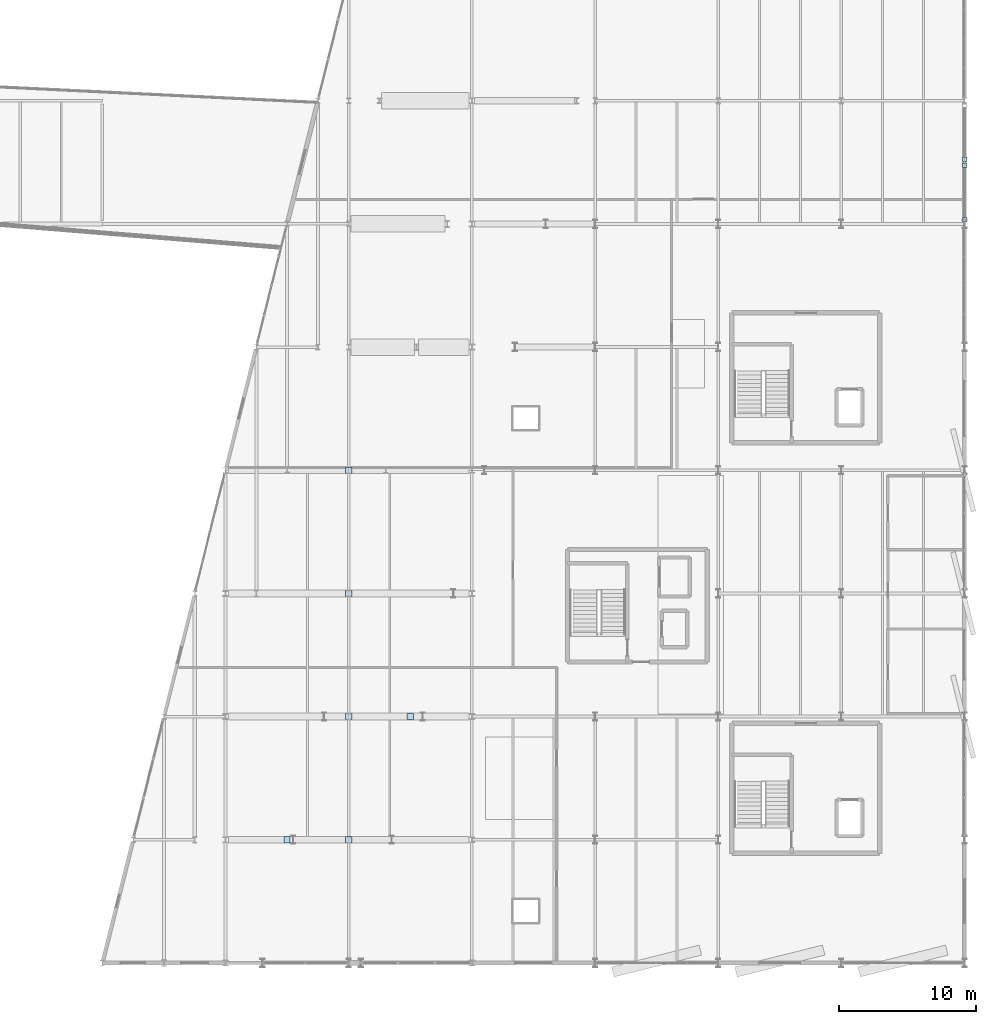
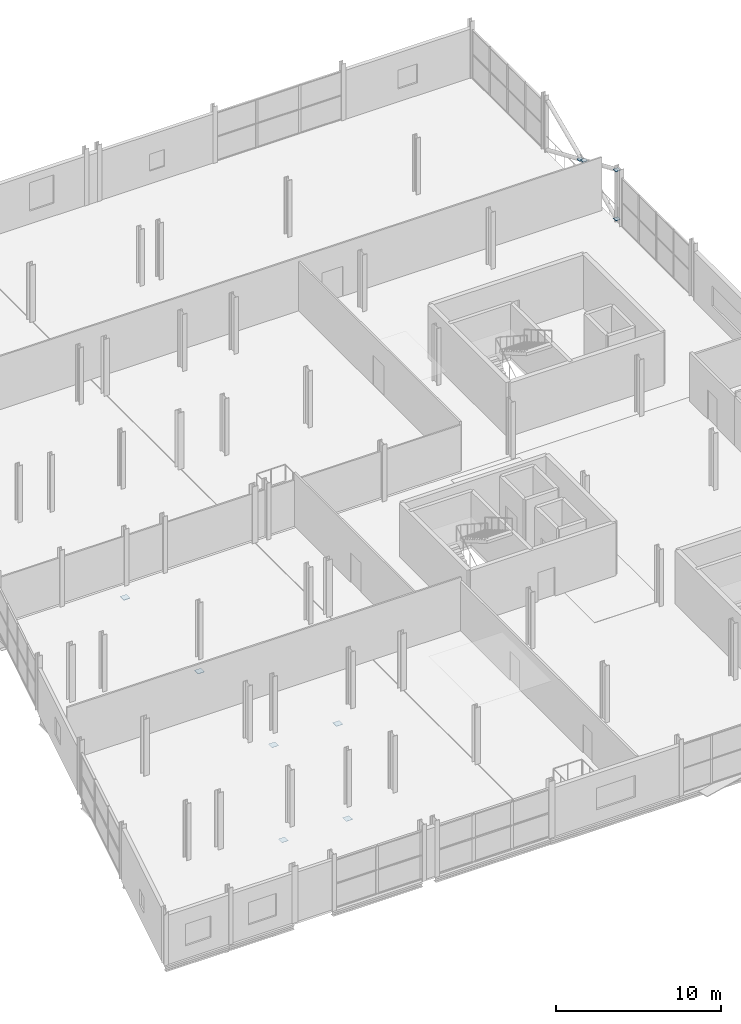
# One storey, part 110 of 135: 10 plates.
"""IFC4 building model written with IfcOpenShell, lengths in metres."""

import ifcopenshell
import ifcopenshell.guid

model = None  # the IFC model being written
_history = None  # IfcOwnerHistory: only IFC2X3 demands one
_inside = {}  # id of a spatial element -> (the spatial element, [elements in it])
_under = {}  # id of a project, library or spatial element -> (it, [spatial elements below it])
_declared = {}  # id of a project -> (the project, [libraries it declares])
_typed = {}  # id of a type object -> (the type object, [elements of that type])
_made_of = {}  # id of a material, layer set ... -> (it, [elements and type objects made of it])


def new_model(schema):
    """Start an empty IFC model of exactly this schema.

    Asked for "IFC4X3", IfcOpenShell would pick the latest addendum, in which some entities
    have other attributes; the version numbers below select the first issue.
    IFC2X3 requires an IfcOwnerHistory on every rooted entity: one is made here for all.
    """
    global model, _history
    if schema == "IFC4X3":
        model = ifcopenshell.file(schema_version=(4, 3, 0, 0))
    else:
        model = ifcopenshell.file(schema=schema)
    _inside.clear()
    _under.clear()
    _declared.clear()
    _typed.clear()
    _made_of.clear()
    _history = None
    if model.schema == "IFC2X3":
        org = make("IfcOrganization", Name="unknown")
        user = make(
            "IfcPersonAndOrganization",
            ThePerson=make("IfcPerson", FamilyName="unknown"),
            TheOrganization=org,
        )
        app = make(
            "IfcApplication",
            ApplicationDeveloper=org,
            Version="unknown",
            ApplicationFullName="unknown",
            ApplicationIdentifier="unknown",
        )
        _history = make(
            "IfcOwnerHistory",
            OwningUser=user,
            OwningApplication=app,
            ChangeAction="ADDED",
            CreationDate=0,
        )
    return model


def make(cls, **values):
    """One entity of the class cls with the attributes given. An attribute that is None is left unset."""
    return model.create_entity(
        cls, **{name: value for name, value in values.items() if value is not None}
    )


def rooted(cls, **values):
    """An entity with a GlobalId (a new one), such as an element, a storey or a relation."""
    return make(cls, GlobalId=ifcopenshell.guid.new(), OwnerHistory=_history, **values)


def si_unit(unit_type, name, prefix=None):
    """IfcSIUnit, for example si_unit("LENGTHUNIT", "METRE", prefix="MILLI")."""
    return make("IfcSIUnit", UnitType=unit_type, Prefix=prefix, Name=name)


def assignment(units):
    """IfcUnitAssignment: the units of a project."""
    return None if units is None else make("IfcUnitAssignment", Units=units)


def point(xyz):
    """IfcCartesianPoint."""
    return None if xyz is None else make("IfcCartesianPoint", Coordinates=xyz)


def direction(xyz):
    """IfcDirection."""
    return None if xyz is None else make("IfcDirection", DirectionRatios=xyz)


def frame(location, z_axis=None, x_axis=None):
    """IfcAxis2Placement3D, a coordinate frame: its origin and axes. An axis left out is left unset."""
    return make(
        "IfcAxis2Placement3D",
        Location=point(location),
        Axis=direction(z_axis),
        RefDirection=direction(x_axis),
    )


def frame_2d(location, x_axis=None):
    """IfcAxis2Placement2D, a coordinate frame in the plane: its origin and x axis."""
    return make(
        "IfcAxis2Placement2D", Location=point(location), RefDirection=direction(x_axis)
    )


def origin():
    """The frame at (0, 0, 0) with its axes left unset."""
    return frame((0.0, 0.0, 0.0))


def origin_2d():
    """The frame at (0, 0) in the plane with its x axis left unset."""
    return frame_2d((0.0, 0.0))


def place(relative_to, where):
    """IfcLocalPlacement: puts the frame where relative to a parent placement (None: the world)."""
    return make(
        "IfcLocalPlacement", PlacementRelTo=relative_to, RelativePlacement=where
    )


def context(
    kind, dimensions, precision=None, world=None, true_north=None, identifier=None
):
    """IfcGeometricRepresentationContext, for example the 3D "Model" context."""
    return make(
        "IfcGeometricRepresentationContext",
        ContextIdentifier=identifier,
        ContextType=kind,
        CoordinateSpaceDimension=dimensions,
        Precision=precision,
        WorldCoordinateSystem=world,
        TrueNorth=true_north,
    )


def subcontext(parent, identifier, kind, view, scale=None):
    """IfcGeometricRepresentationSubContext, for example "Body" below "Model"."""
    return make(
        "IfcGeometricRepresentationSubContext",
        ContextIdentifier=identifier,
        ContextType=kind,
        ParentContext=parent,
        TargetScale=scale,
        TargetView=view,
    )


def project(units=None, contexts=None):
    """IfcProject with its units and contexts."""
    return rooted(
        "IfcProject",
        Name="project",
        RepresentationContexts=contexts,
        UnitsInContext=assignment(units),
    )


def spatial(cls, under=None, at=None, **own):
    """A site, building, storey or space (cls), placed at a placement, below another one or the project."""
    s = rooted(cls, ObjectPlacement=at, **own)
    if under is not None:
        _under.setdefault(under.id(), (under, []))[1].append(s)
    return s


def profile(cls, at=None, kind="AREA", **sizes):
    """A parametric profile (cls). Its sizes go by their IFC names, for example OverallWidth=200.0."""
    return make(cls, ProfileType=kind, Position=at, **sizes)


def rectangle(**sizes):
    """IfcRectangleProfileDef."""
    return profile("IfcRectangleProfileDef", **sizes)


def extrude(swept, where, along, depth):
    """IfcExtrudedAreaSolid: the profile swept, set in the frame where, extruded along a direction by depth."""
    return make(
        "IfcExtrudedAreaSolid",
        SweptArea=swept,
        Position=where,
        ExtrudedDirection=direction(along),
        Depth=depth,
    )


def shape(context_of_items, identifier, shape_type, items):
    """IfcShapeRepresentation: the items that make up one representation, for example the "Body"."""
    return make(
        "IfcShapeRepresentation",
        ContextOfItems=context_of_items,
        RepresentationIdentifier=identifier,
        RepresentationType=shape_type,
        Items=items,
    )


def material(Name=None, Category=None):
    """IfcMaterial."""
    return make("IfcMaterial", Name=Name, Category=Category)


def layer(
    of_material, thickness, ventilated=None, Name=None, Category=None, Priority=None
):
    """IfcMaterialLayer: one layer of a wall or slab, of a material (None: an air gap)."""
    return make(
        "IfcMaterialLayer",
        Material=of_material,
        LayerThickness=thickness,
        IsVentilated=ventilated,
        Name=Name,
        Category=Category,
        Priority=Priority,
    )


def layer_set(layers, Name=None):
    """IfcMaterialLayerSet."""
    return make("IfcMaterialLayerSet", MaterialLayers=layers, LayerSetName=Name)


def made_of(thing, what):
    """Note that an element or type object is made of a material, layer set ...; save() writes the relation."""
    if what is not None:
        _made_of.setdefault(what.id(), (what, []))[1].append(thing)
    return thing


def type_object(cls, material=None, **own):
    """A type object (cls), such as IfcWallType, which elements share."""
    return made_of(rooted(cls, **own), material)


def element(
    cls,
    number,
    at=None,
    inside=None,
    cuts=None,
    type_object=None,
    material=None,
    context=None,
    identifier="Body",
    shape_type=None,
    held_by="IfcProductDefinitionShape",
    body=None,
    shapes=None,
    **own,
):
    """One element of the class cls, such as IfcWall. Its Tag is "e" and its number.

    at: its placement. inside: the storey or other place that contains it. cuts: it is an
    opening in that element (IfcRelVoidsElement). A single representation is given by context,
    identifier, shape_type and body (its items); several are given by shapes. held_by: the class
    of the entity that holds the representations. save() writes the other relations.
    """
    e = rooted(cls, Tag="e%d" % number, ObjectPlacement=at, **own)
    if body is not None:
        shapes = [shape(context, identifier, shape_type, body)]
    if shapes is not None:
        e.Representation = make(held_by, Representations=shapes)
    if inside is not None:
        _inside.setdefault(inside.id(), (inside, []))[1].append(e)
    if cuts is not None:
        rooted(
            "IfcRelVoidsElement", RelatingBuildingElement=cuts, RelatedOpeningElement=e
        )
    if type_object is not None:
        _typed.setdefault(type_object.id(), (type_object, []))[1].append(e)
    return made_of(e, material)


def aggregate(whole, parts):
    """IfcRelAggregates: a whole, such as a stair, and the parts it consists of."""
    return rooted("IfcRelAggregates", RelatingObject=whole, RelatedObjects=parts)


def save(model, path):
    """Write the relations noted so far, then the file.

    IfcRelAggregates (storeys below a building ...), IfcRelContainedInSpatialStructure (elements
    in a storey), IfcRelDefinesByType, IfcRelAssociatesMaterial and IfcRelDeclares: one each for
    every whole, place, type object, material and project.
    """
    for whole, parts in _under.values():
        aggregate(whole, parts)
    for where, things in _inside.values():
        rooted(
            "IfcRelContainedInSpatialStructure",
            RelatedElements=things,
            RelatingStructure=where,
        )
    for kind, things in _typed.values():
        rooted("IfcRelDefinesByType", RelatedObjects=things, RelatingType=kind)
    for what, things in _made_of.values():
        rooted("IfcRelAssociatesMaterial", RelatedObjects=things, RelatingMaterial=what)
    for by, libraries in _declared.values():
        rooted("IfcRelDeclares", RelatingContext=by, RelatedDefinitions=libraries)
    model.write(path)


model = new_model("IFC4")

# Units and contexts
model_context = context("Model", 3, precision=1e-05, world=origin(), true_north=direction((0.0, 1.0)))
body_context = subcontext(model_context, "Body", "Model", "MODEL_VIEW")
ifc_project = project(units=[si_unit("LENGTHUNIT", "METRE"), si_unit("AREAUNIT", "SQUARE_METRE"), si_unit("VOLUMEUNIT", "CUBIC_METRE"), si_unit("PLANEANGLEUNIT", "RADIAN"), si_unit("MASSUNIT", "GRAM", prefix="KILO")], contexts=[model_context])

# Site, building, storey
site_placement = place(None, origin())
site = spatial("IfcSite", under=ifc_project, at=site_placement, CompositionType="ELEMENT")
building_placement = place(site_placement, origin())
building = spatial("IfcBuilding", under=site, at=building_placement, Name="Deido Ridge Mobility Hub", CompositionType="ELEMENT")
storey_placement = place(building_placement, frame((0.0, 0.0, 4.199951171875)))
storey = spatial("IfcBuildingStorey", under=building, at=storey_placement, Name="L01", CompositionType="ELEMENT", Elevation=4.199951171875)

# Plates
ifc_material = material(Name="Steel S355J2 EN 10025-2", Category="steel")
ifc_layer_1 = layer(ifc_material, 0.02197265625, Name="Steel S355J2 EN 10025-2")
ifc_layer_set_1 = layer_set([ifc_layer_1], Name="Steel S355J2 EN 10025-2")
plate_type_1 = type_object("IfcPlateType", Name="PLT-CAP-22", PredefinedType="USERDEFINED", material=ifc_layer_set_1)
for number, where, z_axis, x_axis, name in (
    (1, (180.0, 54.300048828125, 0.1689453125), (0.0, 0.0, 1.0), (1.0, 0.0, 0.0), "Brace sealed end-cap plate EC2 8"),
    (2, (180.0, 54.300048828125, 3.80908203125), (0.0, 0.0, 1.0), (1.0, 0.0, 0.0), "Brace sealed end-cap plate EC2 11"),
    (3, (180.0, 58.72021484375, 1.8935546875), (0.0, 0.0, 1.0), (1.0, 0.0, 0.0), "Brace sealed end-cap plate EC2 12"),
    (4, (180.0, 58.27978515625, 2.08447265625), (0.0, 0.0, 1.0), (1.0, 0.0, 0.0), "Brace sealed end-cap plate EC2 13"),
):
    element("IfcPlate", number, at=place(storey_placement, frame(where, z_axis=z_axis, x_axis=x_axis)), inside=storey, type_object=plate_type_1, Name=name, ObjectType="END CAP PLATE", PredefinedType="USERDEFINED", context=body_context, shape_type="SweptSolid", body=[
        extrude(rectangle(XDim=0.320068359375, YDim=0.320068359375, at=origin_2d()), origin(), (0.0, 0.0, 1.0), 0.02197265625),
    ])
ifc_layer_2 = layer(ifc_material, 0.011962890625, Name="Steel S355J2 EN 10025-2")
ifc_layer_set_2 = layer_set([ifc_layer_2], Name="Steel S355J2 EN 10025-2")
plate_type_2 = type_object("IfcPlateType", Name="PLT-SHT-12", PredefinedType="SHEET", material=ifc_layer_set_2)
for number, where, z_axis, x_axis, name in (
    (5, (135.0, 9.0, -1.005859375), (0.0, 0.0, 1.0), (1.0, 0.0, 0.0), "Transfer girder web stiffener plate 1"),
    (6, (130.5, 9.0, -1.005859375), (0.0, 0.0, 1.0), (1.0, 0.0, 0.0), "Transfer girder web stiffener plate 5"),
):
    element("IfcPlate", number, at=place(storey_placement, frame(where, z_axis=z_axis, x_axis=x_axis)), inside=storey, type_object=plate_type_2, Name=name, PredefinedType="SHEET", context=body_context, shape_type="SweptSolid", body=[
        extrude(rectangle(XDim=0.449951171875, YDim=0.449951171875, at=origin_2d()), origin(), (0.0, 0.0, 1.0), 0.011962890625),
    ])
ifc_layer_3 = layer(ifc_material, 0.014892578125, Name="Steel S355J2 EN 10025-2")
ifc_layer_set_3 = layer_set([ifc_layer_3], Name="Steel S355J2 EN 10025-2")
plate_type_3 = type_object("IfcPlateType", Name="PLT-SHT-15", PredefinedType="SHEET", material=ifc_layer_set_3)
for number, where, z_axis, x_axis, name in (
    (7, (135.0, 18.0, -1.00732421875), (0.0, 0.0, 1.0), (1.0, 0.0, 0.0), "Transfer girder web stiffener plate 2"),
    (8, (139.5, 18.0, -1.00732421875), (0.0, 0.0, 1.0), (1.0, 0.0, 0.0), "Transfer girder web stiffener plate 6"),
):
    element("IfcPlate", number, at=place(storey_placement, frame(where, z_axis=z_axis, x_axis=x_axis)), inside=storey, type_object=plate_type_3, Name=name, PredefinedType="SHEET", context=body_context, shape_type="SweptSolid", body=[
        extrude(rectangle(XDim=0.449951171875, YDim=0.449951171875, at=origin_2d()), origin(), (0.0, 0.0, 1.0), 0.014892578125),
    ])
ifc_layer_4 = layer(ifc_material, 0.01806640625, Name="Steel S355J2 EN 10025-2")
ifc_layer_set_4 = layer_set([ifc_layer_4], Name="Steel S355J2 EN 10025-2")
plate_type_4 = type_object("IfcPlateType", Name="PLT-SHT-18", PredefinedType="SHEET", material=ifc_layer_set_4)
plate_1_placement = place(storey_placement, frame((135.0, 27.0, -1.009033203125), z_axis=(0.0, 0.0, 1.0), x_axis=(1.0, 0.0, 0.0)))
element("IfcPlate", 9, at=plate_1_placement, inside=storey, type_object=plate_type_4, Name="Transfer girder web stiffener plate 3", PredefinedType="SHEET", context=body_context, shape_type="SweptSolid", body=[
    extrude(rectangle(XDim=0.449951171875, YDim=0.449951171875, at=origin_2d()), origin(), (0.0, 0.0, 1.0), 0.01806640625),
])
ifc_layer_5 = layer(ifc_material, 0.035888671875, Name="Steel S355J2 EN 10025-2")
ifc_layer_set_5 = layer_set([ifc_layer_5], Name="Steel S355J2 EN 10025-2")
plate_type_5 = type_object("IfcPlateType", Name="PLT-SHT-36", PredefinedType="SHEET", material=ifc_layer_set_5)
plate_2_placement = place(storey_placement, frame((135.0, 36.0, -1.01806640625), z_axis=(0.0, 0.0, 1.0), x_axis=(1.0, 0.0, 0.0)))
element("IfcPlate", 10, at=plate_2_placement, inside=storey, type_object=plate_type_5, Name="Transfer girder web stiffener plate 4", PredefinedType="SHEET", context=body_context, shape_type="SweptSolid", body=[
    extrude(rectangle(XDim=0.449951171875, YDim=0.449951171875, at=origin_2d()), origin(), (0.0, 0.0, 1.0), 0.035888671875),
])

save(model, "model.ifc")
